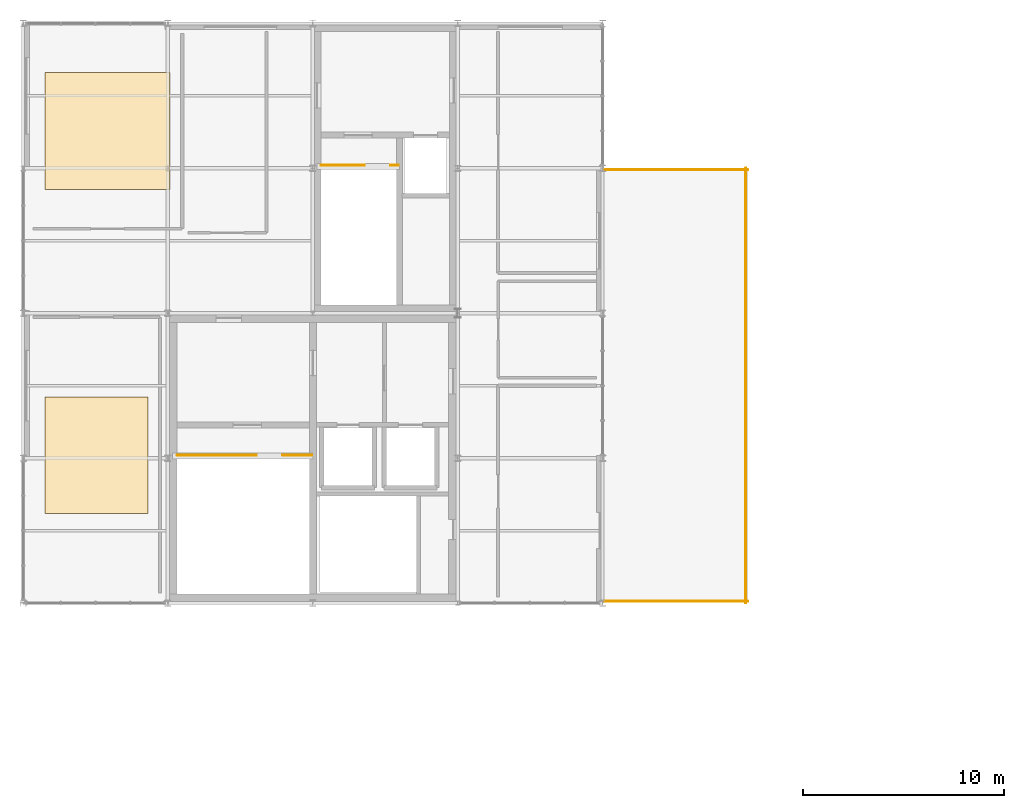
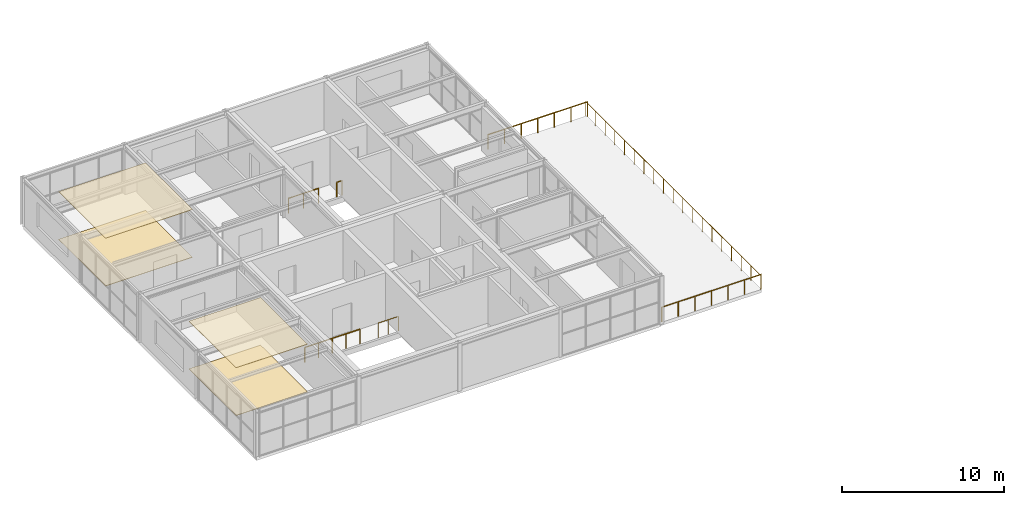
# One storey, part 11 of 12: 7 railings, 4 coverings.
"""IFC4 building model written with IfcOpenShell, lengths in metres."""

from ifc_helpers import new_model, si_unit, direction, frame, origin, origin_2d, place, context, subcontext, project, spatial, rectangle, circle, extrude, material, layer, layer_set, type_object, element, save


model = new_model("IFC4")

# Units and contexts
model_context = context("Model", 3, precision=1e-05, world=origin(), true_north=direction((0.0, 1.0)))
body_context = subcontext(model_context, "Body", "Model", "MODEL_VIEW")
ifc_project = project(units=[si_unit("LENGTHUNIT", "METRE"), si_unit("AREAUNIT", "SQUARE_METRE"), si_unit("VOLUMEUNIT", "CUBIC_METRE"), si_unit("PLANEANGLEUNIT", "RADIAN"), si_unit("MASSUNIT", "GRAM", prefix="KILO")], contexts=[model_context])

# Site, building, storey
site_placement = place(None, origin())
site = spatial("IfcSite", under=ifc_project, at=site_placement, CompositionType="ELEMENT")
building_placement = place(site_placement, origin())
building = spatial("IfcBuilding", under=site, at=building_placement, Name="Leyfeld Transit Interchange", CompositionType="ELEMENT")
storey_placement = place(building_placement, frame((0.0, 0.0, 21.60009765625)))
storey = spatial("IfcBuildingStorey", under=building, at=storey_placement, Name="L05", CompositionType="ELEMENT", Elevation=21.60009765625)

# Coverings
ifc_material_1 = material(Name="Austrian larch acoustic slat ceiling", Category="wood")
ifc_layer_1 = layer(ifc_material_1, 0.0400390625, Name="Austrian larch acoustic slat ceiling")
ifc_layer_set_1 = layer_set([ifc_layer_1], Name="Austrian larch acoustic slat ceiling")
covering_type_1 = type_object("IfcCoveringType", Name="COV-CLG-LRC", PredefinedType="CEILING", material=ifc_layer_set_1)
covering_1_placement = place(storey_placement, frame((3.64990234375, 100.949951171875, 3.5849609375), z_axis=(0.0, 0.0, 1.0), x_axis=(1.0, 0.0, 0.0)))
element("IfcCovering", 1, at=covering_1_placement, inside=storey, type_object=covering_type_1, Name="Acoustic Slat Ceiling Terrace Reading Lounge", PredefinedType="CEILING", context=body_context, shape_type="SweptSolid", body=[
    extrude(rectangle(XDim=5.10009765625, YDim=5.800048828125, at=origin_2d()), origin(), (0.0, 0.0, 1.0), 0.0400390625),
])
covering_2_placement = place(storey_placement, frame((4.199951171875, 117.050048828125, 3.5849609375), z_axis=(0.0, 0.0, 1.0), x_axis=(1.0, 0.0, 0.0)))
element("IfcCovering", 2, at=covering_2_placement, inside=storey, type_object=covering_type_1, Name="Acoustic Slat Ceiling Staff Panorama Canteen & Dining Hall", PredefinedType="CEILING", context=body_context, shape_type="SweptSolid", body=[
    extrude(rectangle(XDim=6.199951171875, YDim=5.800048828125, at=origin_2d()), origin(), (0.0, 0.0, 1.0), 0.0400390625),
])
ifc_material_2 = material(Name="Polished Danube terrazzo flooring", Category="stone")
ifc_layer_2 = layer(ifc_material_2, 0.030029296875, Name="Polished Danube terrazzo flooring")
ifc_layer_set_2 = layer_set([ifc_layer_2], Name="Polished Danube terrazzo flooring")
covering_type_2 = type_object("IfcCoveringType", Name="COV-FLR-TRZ", PredefinedType="FLOORING", material=ifc_layer_set_2)
covering_3_placement = place(storey_placement, frame((3.64990234375, 100.949951171875, 0.0), z_axis=(0.0, 0.0, 1.0), x_axis=(1.0, 0.0, 0.0)))
element("IfcCovering", 3, at=covering_3_placement, inside=storey, type_object=covering_type_2, Name="Terrazzo Flooring Terrace Reading Lounge", PredefinedType="FLOORING", context=body_context, shape_type="SweptSolid", body=[
    extrude(rectangle(XDim=5.10009765625, YDim=5.800048828125, at=origin_2d()), origin(), (0.0, 0.0, 1.0), 0.030029296875),
])
covering_4_placement = place(storey_placement, frame((4.199951171875, 117.050048828125, 0.0), z_axis=(0.0, 0.0, 1.0), x_axis=(1.0, 0.0, 0.0)))
element("IfcCovering", 4, at=covering_4_placement, inside=storey, type_object=covering_type_2, Name="Terrazzo Flooring Staff Panorama Canteen & Dining Hall", PredefinedType="FLOORING", context=body_context, shape_type="SweptSolid", body=[
    extrude(rectangle(XDim=6.199951171875, YDim=5.800048828125, at=origin_2d()), origin(), (0.0, 0.0, 1.0), 0.030029296875),
])

# Railings
ifc_material_3 = material(Name="Stainless steel EN 1.4404", Category="steel")
railing_type_1 = type_object("IfcRailingType", Name="RL-BAL-1100", PredefinedType="BALUSTRADE", material=ifc_material_3)
railing_1_placement = place(storey_placement, frame((35.919921875, 93.60009765625, 0.0)))
element("IfcRailing", 5, at=railing_1_placement, inside=storey, type_object=railing_type_1, Name="Terrace Balustrade L05 020", PredefinedType="BALUSTRADE", context=body_context, shape_type="SweptSolid", body=[
    extrude(circle(Radius=0.02392578125, at=origin_2d()), frame((0.0, 0.0, 1.09619140625), z_axis=(0.0, 1.0, 0.0), x_axis=(-1.0, 0.0, 0.0)), (0.0, 0.0, 1.0), 21.599853515625),
    extrude(circle(Radius=0.02099609375, at=origin_2d()), origin(), (0.0, 0.0, 1.0), 1.072021484375),
    extrude(circle(Radius=0.02099609375, at=origin_2d()), frame((0.0, 1.199951171875, 0.0)), (0.0, 0.0, 1.0), 1.072021484375),
    extrude(circle(Radius=0.02099609375, at=origin_2d()), frame((0.0, 2.39990234375, 0.0)), (0.0, 0.0, 1.0), 1.072021484375),
    extrude(circle(Radius=0.02099609375, at=origin_2d()), frame((0.0, 3.60009765625, 0.0)), (0.0, 0.0, 1.0), 1.072021484375),
    extrude(circle(Radius=0.02099609375, at=origin_2d()), frame((0.0, 4.800048828125, 0.0)), (0.0, 0.0, 1.0), 1.072021484375),
    extrude(circle(Radius=0.02099609375, at=origin_2d()), frame((0.0, 6.0, 0.0)), (0.0, 0.0, 1.0), 1.072021484375),
    extrude(circle(Radius=0.02099609375, at=origin_2d()), frame((0.0, 7.199951171875, 0.0)), (0.0, 0.0, 1.0), 1.072021484375),
    extrude(circle(Radius=0.02099609375, at=origin_2d()), frame((0.0, 8.39990234375, 0.0)), (0.0, 0.0, 1.0), 1.072021484375),
    extrude(circle(Radius=0.02099609375, at=origin_2d()), frame((0.0, 9.599853515625, 0.0)), (0.0, 0.0, 1.0), 1.072021484375),
    extrude(circle(Radius=0.02099609375, at=origin_2d()), frame((0.0, 10.7998046875, 0.0)), (0.0, 0.0, 1.0), 1.072021484375),
    extrude(circle(Radius=0.02099609375, at=origin_2d()), frame((0.0, 12.0, 0.0)), (0.0, 0.0, 1.0), 1.072021484375),
    extrude(circle(Radius=0.02099609375, at=origin_2d()), frame((0.0, 13.199951171875, 0.0)), (0.0, 0.0, 1.0), 1.072021484375),
    extrude(circle(Radius=0.02099609375, at=origin_2d()), frame((0.0, 14.39990234375, 0.0)), (0.0, 0.0, 1.0), 1.072021484375),
    extrude(circle(Radius=0.02099609375, at=origin_2d()), frame((0.0, 15.599853515625, 0.0)), (0.0, 0.0, 1.0), 1.072021484375),
    extrude(circle(Radius=0.02099609375, at=origin_2d()), frame((0.0, 16.7998046875, 0.0)), (0.0, 0.0, 1.0), 1.072021484375),
    extrude(circle(Radius=0.02099609375, at=origin_2d()), frame((0.0, 18.0, 0.0)), (0.0, 0.0, 1.0), 1.072021484375),
    extrude(circle(Radius=0.02099609375, at=origin_2d()), frame((0.0, 19.199951171875, 0.0)), (0.0, 0.0, 1.0), 1.072021484375),
    extrude(circle(Radius=0.02099609375, at=origin_2d()), frame((0.0, 20.39990234375, 0.0)), (0.0, 0.0, 1.0), 1.072021484375),
    extrude(circle(Radius=0.02099609375, at=origin_2d()), frame((0.0, 21.599853515625, 0.0)), (0.0, 0.0, 1.0), 1.072021484375),
])
railing_2_placement = place(storey_placement, frame((36.0, 115.1201171875, 0.0)))
element("IfcRailing", 6, at=railing_2_placement, inside=storey, type_object=railing_type_1, Name="Terrace Balustrade L05 021", PredefinedType="BALUSTRADE", context=body_context, shape_type="SweptSolid", body=[
    extrude(circle(Radius=0.02392578125, at=origin_2d()), frame((0.0, 0.0, 1.09619140625), z_axis=(-1.0, 0.0, 0.0), x_axis=(0.0, -1.0, 0.0)), (0.0, 0.0, 1.0), 7.080078125),
    extrude(circle(Radius=0.02099609375, at=origin_2d()), origin(), (0.0, 0.0, 1.0), 1.072021484375),
    extrude(circle(Radius=0.02099609375, at=origin_2d()), frame((-1.179931640625, 0.0, 0.0)), (0.0, 0.0, 1.0), 1.072021484375),
    extrude(circle(Radius=0.02099609375, at=origin_2d()), frame((-2.360107421875, 0.0, 0.0)), (0.0, 0.0, 1.0), 1.072021484375),
    extrude(circle(Radius=0.02099609375, at=origin_2d()), frame((-3.5400390625, 0.0, 0.0)), (0.0, 0.0, 1.0), 1.072021484375),
    extrude(circle(Radius=0.02099609375, at=origin_2d()), frame((-4.719970703125, 0.0, 0.0)), (0.0, 0.0, 1.0), 1.072021484375),
    extrude(circle(Radius=0.02099609375, at=origin_2d()), frame((-5.900146484375, 0.0, 0.0)), (0.0, 0.0, 1.0), 1.072021484375),
    extrude(circle(Radius=0.02099609375, at=origin_2d()), frame((-7.080078125, 0.0, 0.0)), (0.0, 0.0, 1.0), 1.072021484375),
])
railing_3_placement = place(storey_placement, frame((28.919921875, 93.679931640625, 0.0)))
element("IfcRailing", 7, at=railing_3_placement, inside=storey, type_object=railing_type_1, Name="Terrace Balustrade L05 022", PredefinedType="BALUSTRADE", context=body_context, shape_type="SweptSolid", body=[
    extrude(circle(Radius=0.02392578125, at=origin_2d()), frame((0.0, 0.0, 1.09619140625), z_axis=(1.0, 0.0, 0.0), x_axis=(0.0, 1.0, 0.0)), (0.0, 0.0, 1.0), 7.080078125),
    extrude(circle(Radius=0.02099609375, at=origin_2d()), origin(), (0.0, 0.0, 1.0), 1.072021484375),
    extrude(circle(Radius=0.02099609375, at=origin_2d()), frame((1.179931640625, 0.0, 0.0)), (0.0, 0.0, 1.0), 1.072021484375),
    extrude(circle(Radius=0.02099609375, at=origin_2d()), frame((2.360107421875, 0.0, 0.0)), (0.0, 0.0, 1.0), 1.072021484375),
    extrude(circle(Radius=0.02099609375, at=origin_2d()), frame((3.5400390625, 0.0, 0.0)), (0.0, 0.0, 1.0), 1.072021484375),
    extrude(circle(Radius=0.02099609375, at=origin_2d()), frame((4.719970703125, 0.0, 0.0)), (0.0, 0.0, 1.0), 1.072021484375),
    extrude(circle(Radius=0.02099609375, at=origin_2d()), frame((5.900146484375, 0.0, 0.0)), (0.0, 0.0, 1.0), 1.072021484375),
    extrude(circle(Radius=0.02099609375, at=origin_2d()), frame((7.080078125, 0.0, 0.0)), (0.0, 0.0, 1.0), 1.072021484375),
])
railing_type_2 = type_object("IfcRailingType", Name="RL-STR-GRD-1100", PredefinedType="GUARDRAIL", material=ifc_material_3)
railing_4_placement = place(storey_placement, frame((7.669921875, 100.949951171875, 0.0)))
element("IfcRailing", 8, at=railing_4_placement, inside=storey, type_object=railing_type_2, Name="Stair ST-01 Landing Guard TOPW L05", PredefinedType="GUARDRAIL", context=body_context, shape_type="SweptSolid", body=[
    extrude(circle(Radius=0.02392578125, at=origin_2d()), frame((0.0, 0.0, 1.09619140625), z_axis=(1.0, 0.0, 0.0), x_axis=(0.0, 1.0, 0.0)), (0.0, 0.0, 1.0), 3.93017578125),
    extrude(circle(Radius=0.02099609375, at=origin_2d()), origin(), (0.0, 0.0, 1.0), 1.072021484375),
    extrude(circle(Radius=0.02099609375, at=origin_2d()), frame((0.982421875, 0.0, 0.0)), (0.0, 0.0, 1.0), 1.072021484375),
    extrude(circle(Radius=0.02099609375, at=origin_2d()), frame((1.965087890625, 0.0, 0.0)), (0.0, 0.0, 1.0), 1.072021484375),
    extrude(circle(Radius=0.02099609375, at=origin_2d()), frame((2.94775390625, 0.0, 0.0)), (0.0, 0.0, 1.0), 1.072021484375),
    extrude(circle(Radius=0.02099609375, at=origin_2d()), frame((3.93017578125, 0.0, 0.0)), (0.0, 0.0, 1.0), 1.072021484375),
])
railing_5_placement = place(storey_placement, frame((12.89990234375, 100.949951171875, 0.0)))
element("IfcRailing", 9, at=railing_5_placement, inside=storey, type_object=railing_type_2, Name="Stair ST-01 Landing Guard TOPE L05", PredefinedType="GUARDRAIL", context=body_context, shape_type="SweptSolid", body=[
    extrude(circle(Radius=0.02392578125, at=origin_2d()), frame((0.0, 0.0, 1.09619140625), z_axis=(1.0, 0.0, 0.0), x_axis=(0.0, 1.0, 0.0)), (0.0, 0.0, 1.0), 1.4501953125),
    extrude(circle(Radius=0.02099609375, at=origin_2d()), origin(), (0.0, 0.0, 1.0), 1.072021484375),
    extrude(circle(Radius=0.02099609375, at=origin_2d()), frame((0.72509765625, 0.0, 0.0)), (0.0, 0.0, 1.0), 1.072021484375),
    extrude(circle(Radius=0.02099609375, at=origin_2d()), frame((1.4501953125, 0.0, 0.0)), (0.0, 0.0, 1.0), 1.072021484375),
])
railing_6_placement = place(storey_placement, frame((14.820068359375, 115.35009765625, 0.0)))
element("IfcRailing", 10, at=railing_6_placement, inside=storey, type_object=railing_type_2, Name="Stair ST-02 Landing Guard TOPW L05", PredefinedType="GUARDRAIL", context=body_context, shape_type="SweptSolid", body=[
    extrude(circle(Radius=0.02392578125, at=origin_2d()), frame((0.0, 0.0, 1.09619140625), z_axis=(1.0, 0.0, 0.0), x_axis=(0.0, 1.0, 0.0)), (0.0, 0.0, 1.0), 2.14990234375),
    extrude(circle(Radius=0.02099609375, at=origin_2d()), origin(), (0.0, 0.0, 1.0), 1.072021484375),
    extrude(circle(Radius=0.02099609375, at=origin_2d()), frame((1.074951171875, 0.0, 0.0)), (0.0, 0.0, 1.0), 1.072021484375),
    extrude(circle(Radius=0.02099609375, at=origin_2d()), frame((2.14990234375, 0.0, 0.0)), (0.0, 0.0, 1.0), 1.072021484375),
])
railing_7_placement = place(storey_placement, frame((18.27001953125, 115.35009765625, 0.0)))
element("IfcRailing", 11, at=railing_7_placement, inside=storey, type_object=railing_type_2, Name="Stair ST-02 Landing Guard TOPE L05", PredefinedType="GUARDRAIL", context=body_context, shape_type="SweptSolid", body=[
    extrude(circle(Radius=0.02392578125, at=origin_2d()), frame((0.0, 0.0, 1.09619140625), z_axis=(1.0, 0.0, 0.0), x_axis=(0.0, 1.0, 0.0)), (0.0, 0.0, 1.0), 0.3798828125),
    extrude(circle(Radius=0.02099609375, at=origin_2d()), origin(), (0.0, 0.0, 1.0), 1.072021484375),
    extrude(circle(Radius=0.02099609375, at=origin_2d()), frame((0.3798828125, 0.0, 0.0)), (0.0, 0.0, 1.0), 1.072021484375),
])

save(model, "model.ifc")
